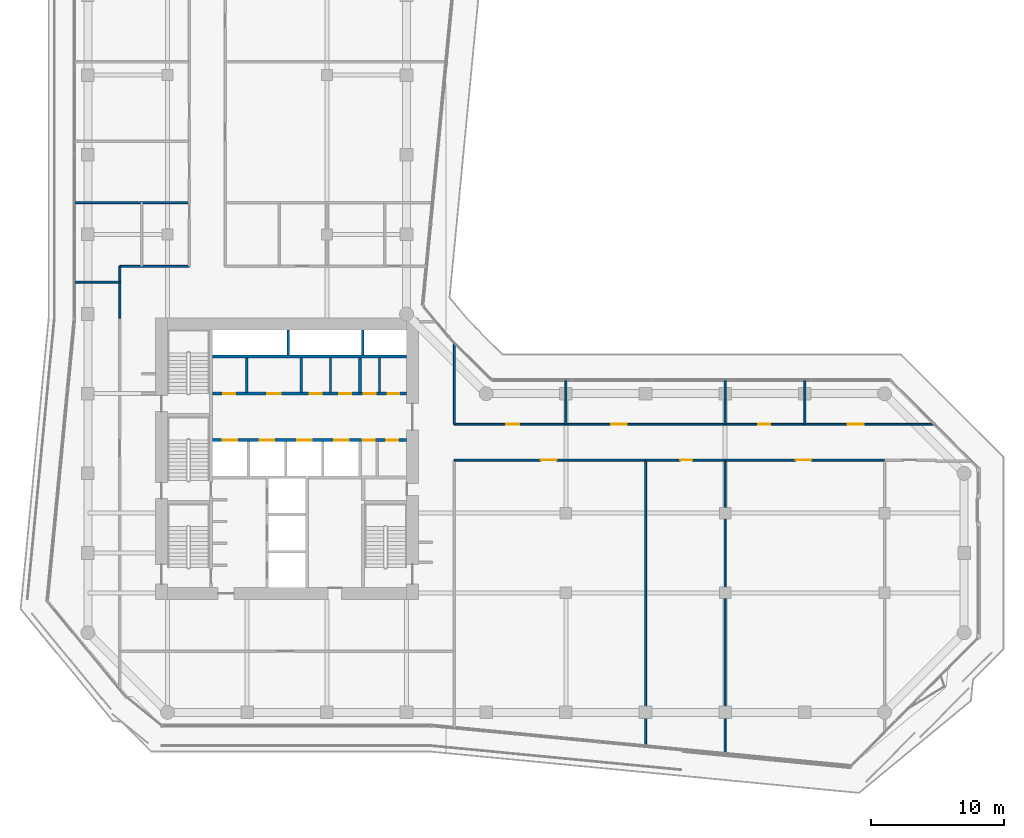
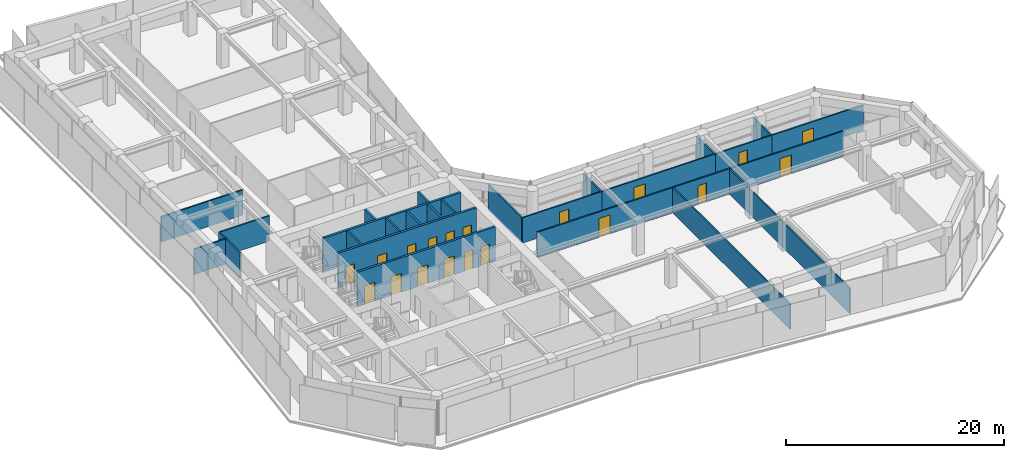
# One storey, part 26 of 31: 27 walls, 19 doors, 19 openings.
"""IFC4 building model written with IfcOpenShell, lengths in metres."""

from ifc_helpers import new_model, si_unit, direction, frame, frame_2d, origin, place, context, subcontext, project, spatial, rectangle, extrude, material, layer, layer_set, type_object, element, fill, save


model = new_model("IFC4")

# Units and contexts
model_context = context("Model", 3, precision=1e-05, world=origin(), true_north=direction((0.0, 1.0)))
body_context = subcontext(model_context, "Body", "Model", "MODEL_VIEW")
ifc_project = project(units=[si_unit("LENGTHUNIT", "METRE"), si_unit("AREAUNIT", "SQUARE_METRE"), si_unit("VOLUMEUNIT", "CUBIC_METRE"), si_unit("PLANEANGLEUNIT", "RADIAN"), si_unit("MASSUNIT", "GRAM", prefix="KILO")], contexts=[model_context])

# Site, building, storey
site_placement = place(None, origin())
site = spatial("IfcSite", under=ifc_project, at=site_placement, CompositionType="ELEMENT")
building_placement = place(site_placement, origin())
building = spatial("IfcBuilding", under=site, at=building_placement, Name="Welwitschia Terrace Campus", CompositionType="ELEMENT")
storey_placement = place(building_placement, frame((0.0, 0.0, 29.0)))
storey = spatial("IfcBuildingStorey", under=building, at=storey_placement, Name="L06", CompositionType="ELEMENT", Elevation=29.0)

# Walls
ifc_material_1 = material(Name="Concrete C32/40", Category="concrete")
ifc_layer_1 = layer(ifc_material_1, 0.175048828125)
ifc_layer_set_1 = layer_set([ifc_layer_1], Name="Concrete C32/40")
wall_type_1 = type_object("IfcWallType", Name="Core partition 175 Concrete C32/40", PredefinedType="PARTITIONING", material=ifc_layer_set_1)
for number, where, z_axis, x_axis, name in (
    (1, (11.97509765625, 20.10009765625, 0.0), (0.0, 0.0, 1.0), (0.0, 1.0, 0.0), "Core partition"),
    (2, (16.074951171875, 20.10009765625, 0.0), (0.0, 0.0, 1.0), (0.0, 1.0, 0.0), "Core partition"),
    (3, (18.27490234375, 20.10009765625, 0.0), (0.0, 0.0, 1.0), (0.0, 1.0, 0.0), "Core partition"),
    (4, (21.9599609375, 20.10009765625, 0.0), (0.0, 0.0, 1.0), (0.0, 1.0, 0.0), "Core partition"),
):
    element("IfcWall", number, at=place(storey_placement, frame(where, z_axis=z_axis, x_axis=x_axis)), inside=storey, type_object=wall_type_1, Name=name, PredefinedType="PARTITIONING", context=body_context, shape_type="SweptSolid", body=[
        extrude(rectangle(XDim=2.599853515625, YDim=0.175048828125, at=frame_2d((1.2998046875, 0.0))), origin(), (0.0, 0.0, 1.0), 3.85009765625),
    ])

# Wall, openings, doors
ifc_material_2 = material(Name="Concrete C32/40", Category="concrete")
ifc_layer_2 = layer(ifc_material_2, 0.22509765625)
ifc_layer_set_2 = layer_set([ifc_layer_2], Name="Concrete C32/40")
wall_type_2 = type_object("IfcWallType", Name="Core partition 225 Concrete C32/40", PredefinedType="PARTITIONING", material=ifc_layer_set_2)
wall_1_placement = place(storey_placement, frame((9.39990234375, 16.5, 0.0), z_axis=(0.0, 0.0, 1.0), x_axis=(1.0, 0.0, 0.0)))
wall_1 = element("IfcWall", 5, at=wall_1_placement, inside=storey, type_object=wall_type_2, Name="Shaft wall", PredefinedType="PARTITIONING", context=body_context, shape_type="SweptSolid", body=[
    extrude(rectangle(XDim=14.60009765625, YDim=0.22509765625, at=frame_2d((7.300048828125, 0.0))), origin(), (0.0, 0.0, 1.0), 3.85009765625),
])
opening_1_placement = place(wall_1_placement, frame((0.75, 0.0, 0.0)))
opening_1 = element("IfcOpeningElement", 6, at=opening_1_placement, cuts=wall_1, Name="Opening LD", PredefinedType="OPENING", context=body_context, shape_type="SweptSolid", body=[
    extrude(rectangle(XDim=1.10009765625, YDim=2.10009765625, at=frame_2d((0.550048828125, 1.050048828125))), frame((0.0, 0.12255859375, 0.0), z_axis=(0.0, -1.0, 0.0), x_axis=(1.0, 0.0, 0.0)), (0.0, 0.0, 1.0), 0.2451171875),
])
opening_2_placement = place(wall_1_placement, frame((3.550048828125, 0.0, 0.0)))
opening_2 = element("IfcOpeningElement", 7, at=opening_2_placement, cuts=wall_1, Name="Opening LD", PredefinedType="OPENING", context=body_context, shape_type="SweptSolid", body=[
    extrude(rectangle(XDim=1.10009765625, YDim=2.10009765625, at=frame_2d((0.550048828125, 1.050048828125))), frame((0.0, 0.12255859375, 0.0), z_axis=(0.0, -1.0, 0.0), x_axis=(1.0, 0.0, 0.0)), (0.0, 0.0, 1.0), 0.2451171875),
])
opening_3_placement = place(wall_1_placement, frame((6.35009765625, 0.0, 0.0)))
opening_3 = element("IfcOpeningElement", 8, at=opening_3_placement, cuts=wall_1, Name="Opening LD", PredefinedType="OPENING", context=body_context, shape_type="SweptSolid", body=[
    extrude(rectangle(XDim=1.10009765625, YDim=2.10009765625, at=frame_2d((0.550048828125, 1.050048828125))), frame((0.0, 0.12255859375, 0.0), z_axis=(0.0, -1.0, 0.0), x_axis=(1.0, 0.0, 0.0)), (0.0, 0.0, 1.0), 0.2451171875),
])
opening_4_placement = place(wall_1_placement, frame((9.14990234375, 0.0, 0.0)))
opening_4 = element("IfcOpeningElement", 9, at=opening_4_placement, cuts=wall_1, Name="Opening LD", PredefinedType="OPENING", context=body_context, shape_type="SweptSolid", body=[
    extrude(rectangle(XDim=1.10009765625, YDim=2.10009765625, at=frame_2d((0.550048828125, 1.050048828125))), frame((0.0, 0.12255859375, 0.0), z_axis=(0.0, -1.0, 0.0), x_axis=(1.0, 0.0, 0.0)), (0.0, 0.0, 1.0), 0.2451171875),
])
opening_5_placement = place(wall_1_placement, frame((11.3076171875, 0.0, 0.0)))
opening_5 = element("IfcOpeningElement", 10, at=opening_5_placement, cuts=wall_1, Name="Opening DR09", PredefinedType="OPENING", context=body_context, shape_type="SweptSolid", body=[
    extrude(rectangle(XDim=0.89990234375, YDim=2.10009765625, at=frame_2d((0.449951171875, 1.050048828125))), frame((0.0, 0.12255859375, 0.0), z_axis=(0.0, -1.0, 0.0), x_axis=(1.0, 0.0, 0.0)), (0.0, 0.0, 1.0), 0.2451171875),
])
opening_6_placement = place(wall_1_placement, frame((13.08251953125, 0.0, 0.0)))
opening_6 = element("IfcOpeningElement", 11, at=opening_6_placement, cuts=wall_1, Name="Opening DR09", PredefinedType="OPENING", context=body_context, shape_type="SweptSolid", body=[
    extrude(rectangle(XDim=0.89990234375, YDim=2.10009765625, at=frame_2d((0.449951171875, 1.050048828125))), frame((0.0, 0.12255859375, 0.0), z_axis=(0.0, -1.0, 0.0), x_axis=(1.0, 0.0, 0.0)), (0.0, 0.0, 1.0), 0.2451171875),
])
ifc_material_3 = material(Name="Steel S275", Category="steel")
door_type_1 = type_object("IfcDoorType", Name="Core door DR09", OperationType="SINGLE_SWING_LEFT", PredefinedType="DOOR", material=ifc_material_3)
door_1_placement = place(opening_5_placement, origin())
door_1 = element("IfcDoor", 12, at=door_1_placement, inside=storey, type_object=door_type_1, Name="Door EL1-D", OperationType="SINGLE_SWING_RIGHT", OverallHeight=2.10009765625, OverallWidth=0.89990234375, PredefinedType="DOOR", context=body_context, shape_type="SweptSolid", body=[
    extrude(rectangle(XDim=0.89990234375, YDim=2.10009765625, at=frame_2d((0.449951171875, 1.050048828125))), frame((0.0, 0.02490234375, 0.0), z_axis=(0.0, -1.0, 0.0), x_axis=(1.0, 0.0, 0.0)), (0.0, 0.0, 1.0), 0.050048828125),
])
fill(opening_5, door_1)
door_2_placement = place(opening_6_placement, origin())
door_2 = element("IfcDoor", 13, at=door_2_placement, inside=storey, type_object=door_type_1, Name="Door EL2-D", OperationType="SINGLE_SWING_RIGHT", OverallHeight=2.10009765625, OverallWidth=0.89990234375, PredefinedType="DOOR", context=body_context, shape_type="SweptSolid", body=[
    extrude(rectangle(XDim=0.89990234375, YDim=2.10009765625, at=frame_2d((0.449951171875, 1.050048828125))), frame((0.0, 0.02490234375, 0.0), z_axis=(0.0, -1.0, 0.0), x_axis=(1.0, 0.0, 0.0)), (0.0, 0.0, 1.0), 0.050048828125),
])
fill(opening_6, door_2)
ifc_material_4 = material(Name="Stainless steel 304", Category="steel")
door_type_2 = type_object("IfcDoorType", Name="Lift landing door", OperationType="DOUBLE_DOOR_SLIDING", PredefinedType="DOOR", material=ifc_material_4)
door_3_placement = place(opening_1_placement, origin())
door_3 = element("IfcDoor", 14, at=door_3_placement, inside=storey, type_object=door_type_2, Name="Landing door LR1", OperationType="DOUBLE_DOOR_SLIDING", OverallHeight=2.10009765625, OverallWidth=1.10009765625, PredefinedType="DOOR", context=body_context, shape_type="SweptSolid", body=[
    extrude(rectangle(XDim=1.10009765625, YDim=2.10009765625, at=frame_2d((0.550048828125, 1.050048828125))), frame((0.0, 0.02490234375, 0.0), z_axis=(0.0, -1.0, 0.0), x_axis=(1.0, 0.0, 0.0)), (0.0, 0.0, 1.0), 0.050048828125),
])
fill(opening_1, door_3)
door_4_placement = place(opening_2_placement, origin())
door_4 = element("IfcDoor", 15, at=door_4_placement, inside=storey, type_object=door_type_2, Name="Landing door LR2", OperationType="DOUBLE_DOOR_SLIDING", OverallHeight=2.10009765625, OverallWidth=1.10009765625, PredefinedType="DOOR", context=body_context, shape_type="SweptSolid", body=[
    extrude(rectangle(XDim=1.10009765625, YDim=2.10009765625, at=frame_2d((0.550048828125, 1.050048828125))), frame((0.0, 0.02490234375, 0.0), z_axis=(0.0, -1.0, 0.0), x_axis=(1.0, 0.0, 0.0)), (0.0, 0.0, 1.0), 0.050048828125),
])
fill(opening_2, door_4)
door_5_placement = place(opening_3_placement, origin())
door_5 = element("IfcDoor", 16, at=door_5_placement, inside=storey, type_object=door_type_2, Name="Landing door LR3", OperationType="DOUBLE_DOOR_SLIDING", OverallHeight=2.10009765625, OverallWidth=1.10009765625, PredefinedType="DOOR", context=body_context, shape_type="SweptSolid", body=[
    extrude(rectangle(XDim=1.10009765625, YDim=2.10009765625, at=frame_2d((0.550048828125, 1.050048828125))), frame((0.0, 0.02490234375, 0.0), z_axis=(0.0, -1.0, 0.0), x_axis=(1.0, 0.0, 0.0)), (0.0, 0.0, 1.0), 0.050048828125),
])
fill(opening_3, door_5)
door_6_placement = place(opening_4_placement, origin())
door_6 = element("IfcDoor", 17, at=door_6_placement, inside=storey, type_object=door_type_2, Name="Landing door LR4", OperationType="DOUBLE_DOOR_SLIDING", OverallHeight=2.10009765625, OverallWidth=1.10009765625, PredefinedType="DOOR", context=body_context, shape_type="SweptSolid", body=[
    extrude(rectangle(XDim=1.10009765625, YDim=2.10009765625, at=frame_2d((0.550048828125, 1.050048828125))), frame((0.0, 0.02490234375, 0.0), z_axis=(0.0, -1.0, 0.0), x_axis=(1.0, 0.0, 0.0)), (0.0, 0.0, 1.0), 0.050048828125),
])
fill(opening_4, door_6)

wall_2_placement = place(storey_placement, frame((24.0, 20.0, 0.0), z_axis=(0.0, 0.0, 1.0), x_axis=(-1.0, 0.0, 0.0)))
wall_2 = element("IfcWall", 18, at=wall_2_placement, inside=storey, type_object=wall_type_2, Name="Core partition", PredefinedType="PARTITIONING", context=body_context, shape_type="SweptSolid", body=[
    extrude(rectangle(XDim=14.60009765625, YDim=0.22509765625, at=frame_2d((7.300048828125, 0.0))), origin(), (0.0, 0.0, 1.0), 3.85009765625),
])
opening_7_placement = place(wall_2_placement, frame((12.89990234375, 0.0, 0.0)))
opening_7 = element("IfcOpeningElement", 19, at=opening_7_placement, cuts=wall_2, Name="Opening DR09", PredefinedType="OPENING", context=body_context, shape_type="SweptSolid", body=[
    extrude(rectangle(XDim=0.89990234375, YDim=2.10009765625, at=frame_2d((0.449951171875, 1.050048828125))), frame((0.0, 0.12255859375, 0.0), z_axis=(0.0, -1.0, 0.0), x_axis=(1.0, 0.0, 0.0)), (0.0, 0.0, 1.0), 0.2451171875),
])
opening_8_placement = place(wall_2_placement, frame((9.47509765625, 0.0, 0.0)))
opening_8 = element("IfcOpeningElement", 20, at=opening_8_placement, cuts=wall_2, Name="Opening DR10", PredefinedType="OPENING", context=body_context, shape_type="SweptSolid", body=[
    extrude(rectangle(XDim=1.0, YDim=2.10009765625, at=frame_2d((0.5, 1.050048828125))), frame((0.0, 0.12255859375, 0.0), z_axis=(0.0, -1.0, 0.0), x_axis=(1.0, 0.0, 0.0)), (0.0, 0.0, 1.0), 0.2451171875),
])
opening_9_placement = place(wall_2_placement, frame((6.375, 0.0, 0.0)))
opening_9 = element("IfcOpeningElement", 21, at=opening_9_placement, cuts=wall_2, Name="Opening DR09", PredefinedType="OPENING", context=body_context, shape_type="SweptSolid", body=[
    extrude(rectangle(XDim=0.89990234375, YDim=2.10009765625, at=frame_2d((0.449951171875, 1.050048828125))), frame((0.0, 0.12255859375, 0.0), z_axis=(0.0, -1.0, 0.0), x_axis=(1.0, 0.0, 0.0)), (0.0, 0.0, 1.0), 0.2451171875),
])
opening_10_placement = place(wall_2_placement, frame((4.175048828125, 0.0, 0.0)))
opening_10 = element("IfcOpeningElement", 22, at=opening_10_placement, cuts=wall_2, Name="Opening DR09", PredefinedType="OPENING", context=body_context, shape_type="SweptSolid", body=[
    extrude(rectangle(XDim=0.89990234375, YDim=2.10009765625, at=frame_2d((0.449951171875, 1.050048828125))), frame((0.0, 0.12255859375, 0.0), z_axis=(0.0, -1.0, 0.0), x_axis=(1.0, 0.0, 0.0)), (0.0, 0.0, 1.0), 0.2451171875),
])
opening_11_placement = place(wall_2_placement, frame((2.3076171875, 0.0, 0.0)))
opening_11 = element("IfcOpeningElement", 23, at=opening_11_placement, cuts=wall_2, Name="Opening DR09", PredefinedType="OPENING", context=body_context, shape_type="SweptSolid", body=[
    extrude(rectangle(XDim=0.89990234375, YDim=2.10009765625, at=frame_2d((0.449951171875, 1.050048828125))), frame((0.0, 0.12255859375, 0.0), z_axis=(0.0, -1.0, 0.0), x_axis=(1.0, 0.0, 0.0)), (0.0, 0.0, 1.0), 0.2451171875),
])
opening_12_placement = place(wall_2_placement, frame((0.532470703125, 0.0, 0.0)))
opening_12 = element("IfcOpeningElement", 24, at=opening_12_placement, cuts=wall_2, Name="Opening DR09", PredefinedType="OPENING", context=body_context, shape_type="SweptSolid", body=[
    extrude(rectangle(XDim=0.89990234375, YDim=2.10009765625, at=frame_2d((0.449951171875, 1.050048828125))), frame((0.0, 0.12255859375, 0.0), z_axis=(0.0, -1.0, 0.0), x_axis=(1.0, 0.0, 0.0)), (0.0, 0.0, 1.0), 0.2451171875),
])
door_7_placement = place(opening_7_placement, origin())
door_7 = element("IfcDoor", 25, at=door_7_placement, inside=storey, type_object=door_type_1, Name="Door BAYH1-D", OperationType="SINGLE_SWING_RIGHT", OverallHeight=2.10009765625, OverallWidth=0.89990234375, PredefinedType="DOOR", context=body_context, shape_type="SweptSolid", body=[
    extrude(rectangle(XDim=0.89990234375, YDim=2.10009765625, at=frame_2d((0.449951171875, 1.050048828125))), frame((0.0, 0.02490234375, 0.0), z_axis=(0.0, -1.0, 0.0), x_axis=(1.0, 0.0, 0.0)), (0.0, 0.0, 1.0), 0.050048828125),
])
fill(opening_7, door_7)
door_8_placement = place(opening_9_placement, origin())
door_8 = element("IfcDoor", 26, at=door_8_placement, inside=storey, type_object=door_type_1, Name="Door BAYH3-D", OperationType="SINGLE_SWING_LEFT", OverallHeight=2.10009765625, OverallWidth=0.89990234375, PredefinedType="DOOR", context=body_context, shape_type="SweptSolid", body=[
    extrude(rectangle(XDim=0.89990234375, YDim=2.10009765625, at=frame_2d((0.449951171875, 1.050048828125))), frame((0.0, 0.02490234375, 0.0), z_axis=(0.0, -1.0, 0.0), x_axis=(1.0, 0.0, 0.0)), (0.0, 0.0, 1.0), 0.050048828125),
])
fill(opening_9, door_8)
door_9_placement = place(opening_10_placement, origin())
door_9 = element("IfcDoor", 27, at=door_9_placement, inside=storey, type_object=door_type_1, Name="Door BAYH4-D", OperationType="SINGLE_SWING_LEFT", OverallHeight=2.10009765625, OverallWidth=0.89990234375, PredefinedType="DOOR", context=body_context, shape_type="SweptSolid", body=[
    extrude(rectangle(XDim=0.89990234375, YDim=2.10009765625, at=frame_2d((0.449951171875, 1.050048828125))), frame((0.0, 0.02490234375, 0.0), z_axis=(0.0, -1.0, 0.0), x_axis=(1.0, 0.0, 0.0)), (0.0, 0.0, 1.0), 0.050048828125),
])
fill(opening_10, door_9)
door_10_placement = place(opening_11_placement, origin())
door_10 = element("IfcDoor", 28, at=door_10_placement, inside=storey, type_object=door_type_1, Name="Door EH1-D", OperationType="SINGLE_SWING_LEFT", OverallHeight=2.10009765625, OverallWidth=0.89990234375, PredefinedType="DOOR", context=body_context, shape_type="SweptSolid", body=[
    extrude(rectangle(XDim=0.89990234375, YDim=2.10009765625, at=frame_2d((0.449951171875, 1.050048828125))), frame((0.0, 0.02490234375, 0.0), z_axis=(0.0, -1.0, 0.0), x_axis=(1.0, 0.0, 0.0)), (0.0, 0.0, 1.0), 0.050048828125),
])
fill(opening_11, door_10)
door_11_placement = place(opening_12_placement, origin())
door_11 = element("IfcDoor", 29, at=door_11_placement, inside=storey, type_object=door_type_1, Name="Door EH2-D", OperationType="SINGLE_SWING_LEFT", OverallHeight=2.10009765625, OverallWidth=0.89990234375, PredefinedType="DOOR", context=body_context, shape_type="SweptSolid", body=[
    extrude(rectangle(XDim=0.89990234375, YDim=2.10009765625, at=frame_2d((0.449951171875, 1.050048828125))), frame((0.0, 0.02490234375, 0.0), z_axis=(0.0, -1.0, 0.0), x_axis=(1.0, 0.0, 0.0)), (0.0, 0.0, 1.0), 0.050048828125),
])
fill(opening_12, door_11)
ifc_material_5 = material(Name="Steel S275", Category="steel")
door_type_3 = type_object("IfcDoorType", Name="Core door DR10", OperationType="SINGLE_SWING_LEFT", PredefinedType="DOOR", material=ifc_material_5)
door_12_placement = place(opening_8_placement, origin())
door_12 = element("IfcDoor", 30, at=door_12_placement, inside=storey, type_object=door_type_3, Name="Door BAYH2-D", OperationType="SINGLE_SWING_RIGHT", OverallHeight=2.10009765625, OverallWidth=1.0, PredefinedType="DOOR", context=body_context, shape_type="SweptSolid", body=[
    extrude(rectangle(XDim=1.0, YDim=2.10009765625, at=frame_2d((0.5, 1.050048828125))), frame((0.0, 0.02490234375, 0.0), z_axis=(0.0, -1.0, 0.0), x_axis=(1.0, 0.0, 0.0)), (0.0, 0.0, 1.0), 0.050048828125),
])
fill(opening_8, door_12)

# Walls
wall_3_placement = place(storey_placement, frame((9.39990234375, 22.800048828125, 0.0), z_axis=(0.0, 0.0, 1.0), x_axis=(1.0, 0.0, 0.0)))
element("IfcWall", 31, at=wall_3_placement, inside=storey, type_object=wall_type_2, Name="Shaft wall", PredefinedType="PARTITIONING", context=body_context, shape_type="SweptSolid", body=[
    extrude(rectangle(XDim=14.60009765625, YDim=0.22509765625, at=frame_2d((7.300048828125, 0.0))), origin(), (0.0, 0.0, 1.0), 3.85009765625),
])
wall_4_placement = place(storey_placement, frame((20.5, 20.10009765625, 0.0), z_axis=(0.0, 0.0, 1.0), x_axis=(0.0, 1.0, 0.0)))
element("IfcWall", 32, at=wall_4_placement, inside=storey, type_object=wall_type_2, Name="Core partition", PredefinedType="PARTITIONING", context=body_context, shape_type="SweptSolid", body=[
    extrude(rectangle(XDim=2.599853515625, YDim=0.22509765625, at=frame_2d((1.2998046875, 0.0))), origin(), (0.0, 0.0, 1.0), 3.85009765625),
])
ifc_material_6 = material(Name="Concrete C50/60", Category="concrete")
ifc_layer_3 = layer(ifc_material_6, 0.199951171875)
ifc_layer_set_3 = layer_set([ifc_layer_3], Name="Concrete C50/60")
wall_type_3 = type_object("IfcWallType", Name="Core wall 200 Concrete C50/60", PredefinedType="SHEAR", material=ifc_layer_set_3)
for number, where, z_axis, x_axis, name in (
    (33, (15.10009765625, 22.89990234375, 0.0), (0.0, 0.0, 1.0), (0.0, 1.0, 0.0), "Core wall"),
    (34, (20.699951171875, 22.89990234375, 0.0), (0.0, 0.0, 1.0), (0.0, 1.0, 0.0), "Core wall"),
):
    element("IfcWall", number, at=place(storey_placement, frame(where, z_axis=z_axis, x_axis=x_axis)), inside=storey, type_object=wall_type_3, Name=name, PredefinedType="SHEAR", context=body_context, shape_type="SweptSolid", body=[
        extrude(rectangle(XDim=1.900146484375, YDim=0.199951171875, at=frame_2d((0.9501953125, 0.0))), origin(), (0.0, 0.0, 1.0), 3.85009765625),
    ])
ifc_material_7 = material(Name="Gypsum board on steel studs", Category="steel")
ifc_layer_4 = layer(ifc_material_7, 0.14990234375)
ifc_layer_set_4 = layer_set([ifc_layer_4], Name="Gypsum board on steel studs")
wall_type_4 = type_object("IfcWallType", Name="Corridor partition 150 EI 30", PredefinedType="PARTITIONING", material=ifc_layer_set_4)
wall_5_placement = place(storey_placement, frame((-1.010009765625, 28.39990234375, 0.0), z_axis=(0.0, 0.0, 1.0), x_axis=(1.0, 0.0, 0.0)))
element("IfcWall", 35, at=wall_5_placement, inside=storey, type_object=wall_type_4, Name="Partition", PredefinedType="PARTITIONING", context=body_context, shape_type="SweptSolid", body=[
    extrude(rectangle(XDim=3.409912109375, YDim=0.14990234375, at=frame_2d((1.705078125, 0.0))), origin(), (0.0, 0.0, 1.0), 2.830078125),
])
wall_6_placement = place(storey_placement, frame((-1.010009765625, 34.39990234375, 0.0), z_axis=(0.0, 0.0, 1.0), x_axis=(1.0, 0.0, 0.0)))
element("IfcWall", 36, at=wall_6_placement, inside=storey, type_object=wall_type_4, Name="Partition", PredefinedType="PARTITIONING", context=body_context, shape_type="SweptSolid", body=[
    extrude(rectangle(XDim=8.659912109375, YDim=0.14990234375, at=frame_2d((4.330078125, 0.0))), origin(), (0.0, 0.0, 1.0), 2.830078125),
])
wall_7_placement = place(storey_placement, frame((2.39990234375, 25.699951171875, 0.0), z_axis=(0.0, 0.0, 1.0), x_axis=(0.0, 1.0, 0.0)))
element("IfcWall", 37, at=wall_7_placement, inside=storey, type_object=wall_type_4, Name="Partition", PredefinedType="PARTITIONING", context=body_context, shape_type="SweptSolid", body=[
    extrude(rectangle(XDim=3.900146484375, YDim=0.14990234375, at=frame_2d((1.9501953125, 0.0))), origin(), (0.0, 0.0, 1.0), 2.830078125),
])
wall_8_placement = place(storey_placement, frame((2.39990234375, 29.60009765625, 0.0), z_axis=(0.0, 0.0, 1.0), x_axis=(1.0, 0.0, 0.0)))
element("IfcWall", 38, at=wall_8_placement, inside=storey, type_object=wall_type_4, Name="Partition", PredefinedType="PARTITIONING", context=body_context, shape_type="SweptSolid", body=[
    extrude(rectangle(XDim=5.25, YDim=0.14990234375, at=frame_2d((2.625, 0.0))), origin(), (0.0, 0.0, 1.0), 2.830078125),
])
wall_9_placement = place(storey_placement, frame((27.60009765625, 17.699951171875, 0.0), z_axis=(0.0, 0.0, 1.0), x_axis=(0.0, 1.0, 0.0)))
element("IfcWall", 39, at=wall_9_placement, inside=storey, type_object=wall_type_4, Name="Partition", PredefinedType="PARTITIONING", context=body_context, shape_type="SweptSolid", body=[
    extrude(rectangle(XDim=6.1201171875, YDim=0.14990234375, at=frame_2d((3.06005859375, 0.0))), origin(), (0.0, 0.0, 1.0), 2.830078125),
])

# Wall, opening, door
wall_10_placement = place(storey_placement, frame((27.60009765625, 17.699951171875, 0.0), z_axis=(0.0, 0.0, 1.0), x_axis=(1.0, 0.0, 0.0)))
wall_10 = element("IfcWall", 40, at=wall_10_placement, inside=storey, type_object=wall_type_4, Name="Partition", PredefinedType="PARTITIONING", context=body_context, shape_type="SweptSolid", body=[
    extrude(rectangle(XDim=8.39990234375, YDim=0.14990234375, at=frame_2d((4.199951171875, 0.0))), origin(), (0.0, 0.0, 1.0), 2.830078125),
])
opening_13_placement = place(wall_10_placement, frame((3.89990234375, 0.0, 0.0)))
opening_13 = element("IfcOpeningElement", 41, at=opening_13_placement, cuts=wall_10, Name="Opening DI10", PredefinedType="OPENING", context=body_context, shape_type="SweptSolid", body=[
    extrude(rectangle(XDim=1.0, YDim=2.10009765625, at=frame_2d((0.5, 1.050048828125))), frame((0.0, 0.0849609375, 0.0), z_axis=(0.0, -1.0, 0.0), x_axis=(1.0, 0.0, 0.0)), (0.0, 0.0, 1.0), 0.169921875),
])
ifc_material_8 = material(Name="Timber veneered door", Category="wood")
door_type_4 = type_object("IfcDoorType", Name="Interior door DI10", OperationType="NOTDEFINED", PredefinedType="DOOR", material=ifc_material_8)
door_13_placement = place(opening_13_placement, origin())
door_13 = element("IfcDoor", 42, at=door_13_placement, inside=storey, type_object=door_type_4, Name="Door L06 160", OperationType="SINGLE_SWING_LEFT", OverallHeight=2.10009765625, OverallWidth=1.0, PredefinedType="DOOR", context=body_context, shape_type="SweptSolid", body=[
    extrude(rectangle(XDim=1.0, YDim=2.10009765625, at=frame_2d((0.5, 1.050048828125))), frame((0.0, 0.02490234375, 0.0), z_axis=(0.0, -1.0, 0.0), x_axis=(1.0, 0.0, 0.0)), (0.0, 0.0, 1.0), 0.050048828125),
])
fill(opening_13, door_13)

# Wall
wall_11_placement = place(storey_placement, frame((36.0, 17.699951171875, 0.0), z_axis=(0.0, 0.0, 1.0), x_axis=(0.0, 1.0, 0.0)))
element("IfcWall", 43, at=wall_11_placement, inside=storey, type_object=wall_type_4, Name="Partition", PredefinedType="PARTITIONING", context=body_context, shape_type="SweptSolid", body=[
    extrude(rectangle(XDim=3.31005859375, YDim=0.14990234375, at=frame_2d((1.655029296875, 0.0))), origin(), (0.0, 0.0, 1.0), 2.830078125),
])

# Wall, opening, door
wall_12_placement = place(storey_placement, frame((36.0, 17.699951171875, 0.0), z_axis=(0.0, 0.0, 1.0), x_axis=(1.0, 0.0, 0.0)))
wall_12 = element("IfcWall", 44, at=wall_12_placement, inside=storey, type_object=wall_type_4, Name="Partition", PredefinedType="PARTITIONING", context=body_context, shape_type="SweptSolid", body=[
    extrude(rectangle(XDim=12.0, YDim=0.14990234375, at=frame_2d((6.0, 0.0))), origin(), (0.0, 0.0, 1.0), 2.830078125),
])
opening_14_placement = place(wall_12_placement, frame((3.39990234375, 0.0, 0.0)))
opening_14 = element("IfcOpeningElement", 45, at=opening_14_placement, cuts=wall_12, Name="Opening DI12", PredefinedType="OPENING", context=body_context, shape_type="SweptSolid", body=[
    extrude(rectangle(XDim=1.199951171875, YDim=2.10009765625, at=frame_2d((0.60009765625, 1.050048828125))), frame((0.0, 0.0849609375, 0.0), z_axis=(0.0, -1.0, 0.0), x_axis=(1.0, 0.0, 0.0)), (0.0, 0.0, 1.0), 0.169921875),
])
ifc_material_9 = material(Name="Timber veneered door", Category="wood")
door_type_5 = type_object("IfcDoorType", Name="Interior door DI12", OperationType="NOTDEFINED", PredefinedType="DOOR", material=ifc_material_9)
door_14_placement = place(opening_14_placement, origin())
door_14 = element("IfcDoor", 46, at=door_14_placement, inside=storey, type_object=door_type_5, Name="Door L06 161", OperationType="SINGLE_SWING_RIGHT", OverallHeight=2.10009765625, OverallWidth=1.199951171875, PredefinedType="DOOR", context=body_context, shape_type="SweptSolid", body=[
    extrude(rectangle(XDim=1.199951171875, YDim=2.10009765625, at=frame_2d((0.60009765625, 1.050048828125))), frame((0.0, 0.02490234375, 0.0), z_axis=(0.0, -1.0, 0.0), x_axis=(1.0, 0.0, 0.0)), (0.0, 0.0, 1.0), 0.050048828125),
])
fill(opening_14, door_14)

# Wall
wall_13_placement = place(storey_placement, frame((42.0, -6.56005859375, 0.0), z_axis=(0.0, 0.0, 1.0), x_axis=(0.0, 1.0, 0.0)))
element("IfcWall", 47, at=wall_13_placement, inside=storey, type_object=wall_type_4, Name="Partition", PredefinedType="PARTITIONING", context=body_context, shape_type="SweptSolid", body=[
    extrude(rectangle(XDim=21.56005859375, YDim=0.14990234375, at=frame_2d((10.780029296875, 0.0))), origin(), (0.0, 0.0, 1.0), 2.830078125),
])

# Wall, opening, door
wall_14_placement = place(storey_placement, frame((42.0, 15.0, 0.0), z_axis=(0.0, 0.0, 1.0), x_axis=(-1.0, 0.0, 0.0)))
wall_14 = element("IfcWall", 48, at=wall_14_placement, inside=storey, type_object=wall_type_4, Name="Partition", PredefinedType="PARTITIONING", context=body_context, shape_type="SweptSolid", body=[
    extrude(rectangle(XDim=14.39990234375, YDim=0.14990234375, at=frame_2d((7.199951171875, 0.0))), origin(), (0.0, 0.0, 1.0), 2.830078125),
])
opening_15_placement = place(wall_14_placement, frame((6.699951171875, 0.0, 0.0)))
opening_15 = element("IfcOpeningElement", 49, at=opening_15_placement, cuts=wall_14, Name="Opening DI12", PredefinedType="OPENING", context=body_context, shape_type="SweptSolid", body=[
    extrude(rectangle(XDim=1.199951171875, YDim=2.10009765625, at=frame_2d((0.60009765625, 1.050048828125))), frame((0.0, 0.0849609375, 0.0), z_axis=(0.0, -1.0, 0.0), x_axis=(1.0, 0.0, 0.0)), (0.0, 0.0, 1.0), 0.169921875),
])
door_15_placement = place(opening_15_placement, origin())
door_15 = element("IfcDoor", 50, at=door_15_placement, inside=storey, type_object=door_type_5, Name="Door L06 162", OperationType="SINGLE_SWING_LEFT", OverallHeight=2.10009765625, OverallWidth=1.199951171875, PredefinedType="DOOR", context=body_context, shape_type="SweptSolid", body=[
    extrude(rectangle(XDim=1.199951171875, YDim=2.10009765625, at=frame_2d((0.60009765625, 1.050048828125))), frame((0.0, 0.02490234375, 0.0), z_axis=(0.0, -1.0, 0.0), x_axis=(1.0, 0.0, 0.0)), (0.0, 0.0, 1.0), 0.050048828125),
])
fill(opening_15, door_15)

# Wall
wall_15_placement = place(storey_placement, frame((48.0, -7.139892578125, 0.0), z_axis=(0.0, 0.0, 1.0), x_axis=(0.0, 1.0, 0.0)))
element("IfcWall", 51, at=wall_15_placement, inside=storey, type_object=wall_type_4, Name="Partition", PredefinedType="PARTITIONING", context=body_context, shape_type="SweptSolid", body=[
    extrude(rectangle(XDim=22.139892578125, YDim=0.14990234375, at=frame_2d((11.06982421875, 0.0))), origin(), (0.0, 0.0, 1.0), 2.830078125),
])

# Wall, opening, door
wall_16_placement = place(storey_placement, frame((48.0, 15.0, 0.0), z_axis=(0.0, 0.0, 1.0), x_axis=(-1.0, 0.0, 0.0)))
wall_16 = element("IfcWall", 52, at=wall_16_placement, inside=storey, type_object=wall_type_4, Name="Partition", PredefinedType="PARTITIONING", context=body_context, shape_type="SweptSolid", body=[
    extrude(rectangle(XDim=6.0, YDim=0.14990234375, at=frame_2d((3.0, 0.0))), origin(), (0.0, 0.0, 1.0), 2.830078125),
])
opening_16_placement = place(wall_16_placement, frame((2.5, 0.0, 0.0)))
opening_16 = element("IfcOpeningElement", 53, at=opening_16_placement, cuts=wall_16, Name="Opening DI09", PredefinedType="OPENING", context=body_context, shape_type="SweptSolid", body=[
    extrude(rectangle(XDim=0.89990234375, YDim=2.10009765625, at=frame_2d((0.449951171875, 1.050048828125))), frame((0.0, 0.0849609375, 0.0), z_axis=(0.0, -1.0, 0.0), x_axis=(1.0, 0.0, 0.0)), (0.0, 0.0, 1.0), 0.169921875),
])
ifc_material_10 = material(Name="Timber veneered door", Category="wood")
door_type_6 = type_object("IfcDoorType", Name="Interior door DI09", OperationType="NOTDEFINED", PredefinedType="DOOR", material=ifc_material_10)
door_16_placement = place(opening_16_placement, origin())
door_16 = element("IfcDoor", 54, at=door_16_placement, inside=storey, type_object=door_type_6, Name="Door L06 163", OperationType="SINGLE_SWING_RIGHT", OverallHeight=2.10009765625, OverallWidth=0.89990234375, PredefinedType="DOOR", context=body_context, shape_type="SweptSolid", body=[
    extrude(rectangle(XDim=0.89990234375, YDim=2.10009765625, at=frame_2d((0.449951171875, 1.050048828125))), frame((0.0, 0.02490234375, 0.0), z_axis=(0.0, -1.0, 0.0), x_axis=(1.0, 0.0, 0.0)), (0.0, 0.0, 1.0), 0.050048828125),
])
fill(opening_16, door_16)

# Wall
wall_17_placement = place(storey_placement, frame((48.0, 17.699951171875, 0.0), z_axis=(0.0, 0.0, 1.0), x_axis=(0.0, 1.0, 0.0)))
element("IfcWall", 55, at=wall_17_placement, inside=storey, type_object=wall_type_4, Name="Partition", PredefinedType="PARTITIONING", context=body_context, shape_type="SweptSolid", body=[
    extrude(rectangle(XDim=3.31005859375, YDim=0.14990234375, at=frame_2d((1.655029296875, 0.0))), origin(), (0.0, 0.0, 1.0), 2.830078125),
])

# Wall, opening, door
wall_18_placement = place(storey_placement, frame((48.0, 17.699951171875, 0.0), z_axis=(0.0, 0.0, 1.0), x_axis=(1.0, 0.0, 0.0)))
wall_18 = element("IfcWall", 56, at=wall_18_placement, inside=storey, type_object=wall_type_4, Name="Partition", PredefinedType="PARTITIONING", context=body_context, shape_type="SweptSolid", body=[
    extrude(rectangle(XDim=6.0, YDim=0.14990234375, at=frame_2d((3.0, 0.0))), origin(), (0.0, 0.0, 1.0), 2.830078125),
])
opening_17_placement = place(wall_18_placement, frame((2.5, 0.0, 0.0)))
opening_17 = element("IfcOpeningElement", 57, at=opening_17_placement, cuts=wall_18, Name="Opening DI09", PredefinedType="OPENING", context=body_context, shape_type="SweptSolid", body=[
    extrude(rectangle(XDim=0.89990234375, YDim=2.10009765625, at=frame_2d((0.449951171875, 1.050048828125))), frame((0.0, 0.0849609375, 0.0), z_axis=(0.0, -1.0, 0.0), x_axis=(1.0, 0.0, 0.0)), (0.0, 0.0, 1.0), 0.169921875),
])
door_17_placement = place(opening_17_placement, origin())
door_17 = element("IfcDoor", 58, at=door_17_placement, inside=storey, type_object=door_type_6, Name="Door L06 164", OperationType="SINGLE_SWING_LEFT", OverallHeight=2.10009765625, OverallWidth=0.89990234375, PredefinedType="DOOR", context=body_context, shape_type="SweptSolid", body=[
    extrude(rectangle(XDim=0.89990234375, YDim=2.10009765625, at=frame_2d((0.449951171875, 1.050048828125))), frame((0.0, 0.02490234375, 0.0), z_axis=(0.0, -1.0, 0.0), x_axis=(1.0, 0.0, 0.0)), (0.0, 0.0, 1.0), 0.050048828125),
])
fill(opening_17, door_17)

# Wall
wall_19_placement = place(storey_placement, frame((54.0, 17.699951171875, 0.0), z_axis=(0.0, 0.0, 1.0), x_axis=(0.0, 1.0, 0.0)))
element("IfcWall", 59, at=wall_19_placement, inside=storey, type_object=wall_type_4, Name="Partition", PredefinedType="PARTITIONING", context=body_context, shape_type="SweptSolid", body=[
    extrude(rectangle(XDim=3.31005859375, YDim=0.14990234375, at=frame_2d((1.655029296875, 0.0))), origin(), (0.0, 0.0, 1.0), 2.830078125),
])

# Wall, opening, door
wall_20_placement = place(storey_placement, frame((54.0, 17.699951171875, 0.0), z_axis=(0.0, 0.0, 1.0), x_axis=(1.0, 0.0, 0.0)))
wall_20 = element("IfcWall", 60, at=wall_20_placement, inside=storey, type_object=wall_type_4, Name="Partition", PredefinedType="PARTITIONING", context=body_context, shape_type="SweptSolid", body=[
    extrude(rectangle(XDim=9.68310546875, YDim=0.14990234375, at=frame_2d((4.841552734375, 0.0))), origin(), (0.0, 0.0, 1.0), 2.830078125),
])
opening_18_placement = place(wall_20_placement, frame((3.219970703125, 0.0, 0.0)))
opening_18 = element("IfcOpeningElement", 61, at=opening_18_placement, cuts=wall_20, Name="Opening DI12", PredefinedType="OPENING", context=body_context, shape_type="SweptSolid", body=[
    extrude(rectangle(XDim=1.199951171875, YDim=2.10009765625, at=frame_2d((0.60009765625, 1.050048828125))), frame((0.0, 0.0849609375, 0.0), z_axis=(0.0, -1.0, 0.0), x_axis=(1.0, 0.0, 0.0)), (0.0, 0.0, 1.0), 0.169921875),
])
door_18_placement = place(opening_18_placement, origin())
door_18 = element("IfcDoor", 62, at=door_18_placement, inside=storey, type_object=door_type_5, Name="Door L06 165", OperationType="SINGLE_SWING_RIGHT", OverallHeight=2.10009765625, OverallWidth=1.199951171875, PredefinedType="DOOR", context=body_context, shape_type="SweptSolid", body=[
    extrude(rectangle(XDim=1.199951171875, YDim=2.10009765625, at=frame_2d((0.60009765625, 1.050048828125))), frame((0.0, 0.02490234375, 0.0), z_axis=(0.0, -1.0, 0.0), x_axis=(1.0, 0.0, 0.0)), (0.0, 0.0, 1.0), 0.050048828125),
])
fill(opening_18, door_18)

wall_21_placement = place(storey_placement, frame((60.0, 15.0, 0.0), z_axis=(0.0, 0.0, 1.0), x_axis=(-1.0, 0.0, 0.0)))
wall_21 = element("IfcWall", 63, at=wall_21_placement, inside=storey, type_object=wall_type_4, Name="Partition", PredefinedType="PARTITIONING", context=body_context, shape_type="SweptSolid", body=[
    extrude(rectangle(XDim=12.0, YDim=0.14990234375, at=frame_2d((6.0, 0.0))), origin(), (0.0, 0.0, 1.0), 2.830078125),
])
opening_19_placement = place(wall_21_placement, frame((5.5, 0.0, 0.0)))
opening_19 = element("IfcOpeningElement", 64, at=opening_19_placement, cuts=wall_21, Name="Opening DI12", PredefinedType="OPENING", context=body_context, shape_type="SweptSolid", body=[
    extrude(rectangle(XDim=1.199951171875, YDim=2.10009765625, at=frame_2d((0.60009765625, 1.050048828125))), frame((0.0, 0.0849609375, 0.0), z_axis=(0.0, -1.0, 0.0), x_axis=(1.0, 0.0, 0.0)), (0.0, 0.0, 1.0), 0.169921875),
])
door_19_placement = place(opening_19_placement, origin())
door_19 = element("IfcDoor", 65, at=door_19_placement, inside=storey, type_object=door_type_5, Name="Door L06 166", OperationType="SINGLE_SWING_LEFT", OverallHeight=2.10009765625, OverallWidth=1.199951171875, PredefinedType="DOOR", context=body_context, shape_type="SweptSolid", body=[
    extrude(rectangle(XDim=1.199951171875, YDim=2.10009765625, at=frame_2d((0.60009765625, 1.050048828125))), frame((0.0, 0.02490234375, 0.0), z_axis=(0.0, -1.0, 0.0), x_axis=(1.0, 0.0, 0.0)), (0.0, 0.0, 1.0), 0.050048828125),
])
fill(opening_19, door_19)

save(model, "model.ifc")
